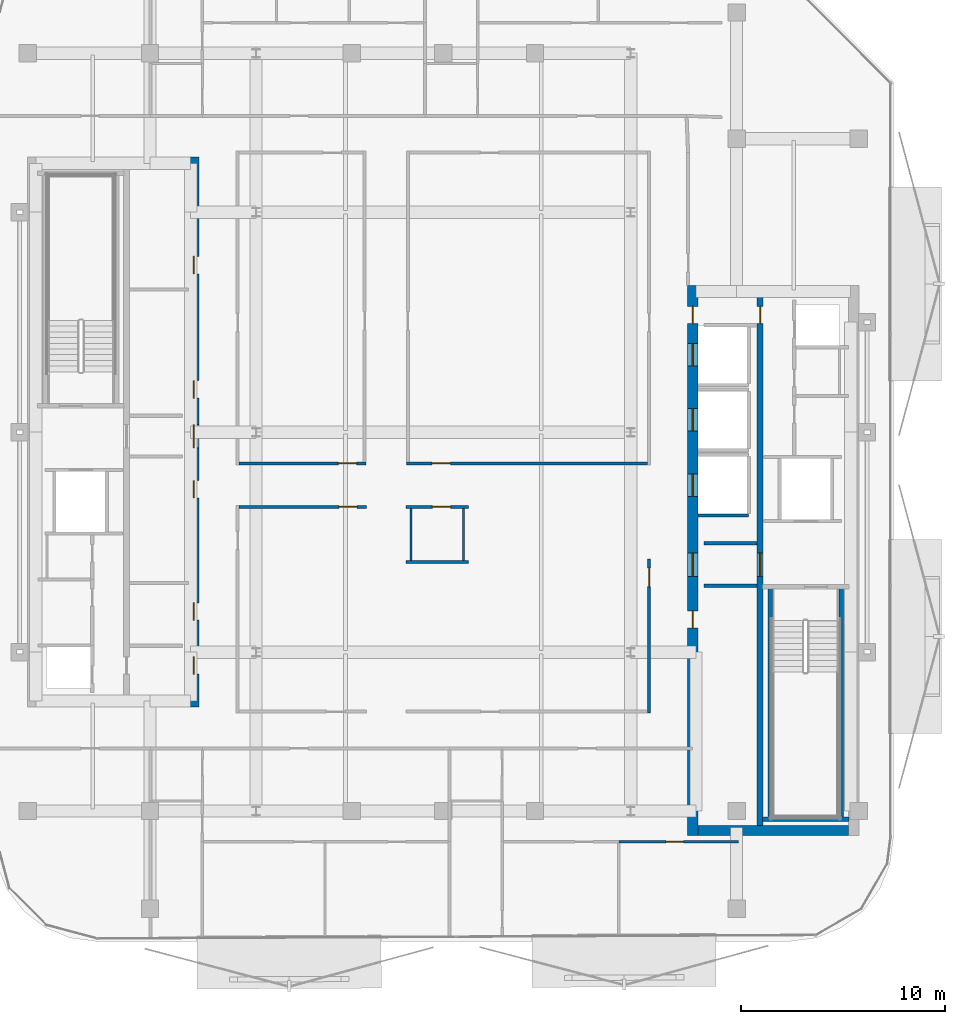
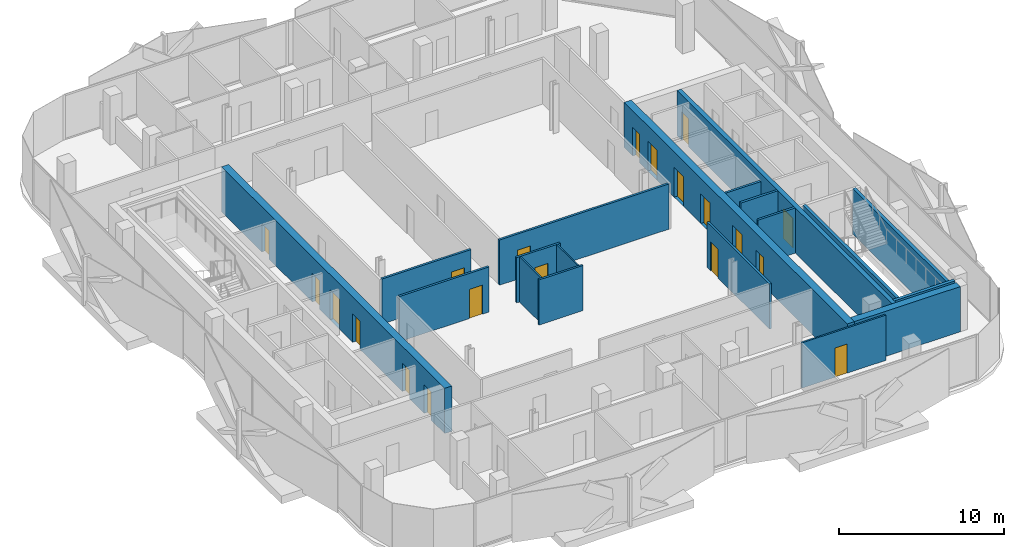
# One storey, part 4 of 16: 20 doors, 19 walls, 20 openings.
"""IFC4 building model written with IfcOpenShell, lengths in metres."""

from ifc_helpers import new_model, si_unit, direction, frame, frame_2d, origin, place, context, subcontext, project, spatial, rectangle, extrude, material, layer, layer_set, type_object, element, fill, save


model = new_model("IFC4")

# Units and contexts
model_context = context("Model", 3, precision=1e-05, world=origin(), true_north=direction((0.0, 1.0)))
body_context = subcontext(model_context, "Body", "Model", "MODEL_VIEW")
ifc_project = project(units=[si_unit("LENGTHUNIT", "METRE"), si_unit("AREAUNIT", "SQUARE_METRE"), si_unit("VOLUMEUNIT", "CUBIC_METRE"), si_unit("PLANEANGLEUNIT", "RADIAN"), si_unit("MASSUNIT", "GRAM", prefix="KILO")], contexts=[model_context])

# Site, building, storey
site_placement = place(None, origin())
site = spatial("IfcSite", under=ifc_project, at=site_placement, CompositionType="ELEMENT")
building_placement = place(site_placement, origin())
building = spatial("IfcBuilding", under=site, at=building_placement, Name="Khairoan Windgate Tower", CompositionType="ELEMENT")
storey_placement = place(building_placement, frame((0.0, 0.0, 258.39990234375)))
storey = spatial("IfcBuildingStorey", under=building, at=storey_placement, Name="L61", CompositionType="ELEMENT", Elevation=258.39990234375)

# Walls
ifc_material_1 = material(Name="Moisture-Resistant Gypsum Partition", Category="gypsum")
ifc_layer_1 = layer(ifc_material_1, 0.10009765625, Name="Moisture-Resistant Gypsum Partition")
ifc_layer_set_1 = layer_set([ifc_layer_1], Name="Moisture-Resistant Gypsum Partition")
wall_type_1 = type_object("IfcWallType", Name="Bathroom Wet-Area Partition Wall", PredefinedType="PARTITIONING", material=ifc_layer_set_1)
for number, where, z_axis, x_axis, name in (
    (1, (1.0, -3.739990234375, 0.0), (0.0, 0.0, 1.0), (0.0, -1.0, 0.0), "L61 Wet Room Side Wall 083"),
    (2, (-1.590087890625, -6.31005859375, 0.0), (0.0, 0.0, 1.0), (0.0, 1.0, 0.0), "L61 Wet Room Side Wall 084"),
):
    element("IfcWall", number, at=place(storey_placement, frame(where, z_axis=z_axis, x_axis=x_axis)), inside=storey, type_object=wall_type_1, Name=name, PredefinedType="PARTITIONING", context=body_context, shape_type="SweptSolid", body=[
        extrude(rectangle(XDim=2.570068359375, YDim=0.10009765625, at=frame_2d((1.28515625, 0.0))), origin(), (0.0, 0.0, 1.0), 3.340087890625),
    ])
ifc_material_2 = material(Name="Concrete C40/50", Category="concrete")
ifc_layer_2 = layer(ifc_material_2, 0.159912109375, Name="Concrete C40/50")
ifc_layer_set_2 = layer_set([ifc_layer_2], Name="Concrete C40/50")
wall_type_2 = type_object("IfcWallType", Name="Core and Hoistway Enclosure Wall", PredefinedType="STANDARD", material=ifc_layer_set_2)
wall_1_placement = place(storey_placement, frame((12.5, -4.090087890625, 0.0), z_axis=(0.0, 0.0, 1.0), x_axis=(1.0, 0.0, 0.0)))
element("IfcWall", 3, at=wall_1_placement, inside=storey, type_object=wall_type_2, Name="L61 Lift PL9 Hoistway Divider S", PredefinedType="STANDARD", context=body_context, shape_type="SweptSolid", body=[
    extrude(rectangle(XDim=2.489990234375, YDim=0.159912109375, at=frame_2d((1.2451171875, 0.0))), origin(), (0.0, 0.0, 1.0), 3.340087890625),
])
for number, where, z_axis, x_axis, name in (
    (4, (12.800048828125, -5.449951171875, 0.0), (0.0, 0.0, 1.0), (1.0, 0.0, 0.0), "L61 Core Shaft Wall SW-EV1-L61"),
    (5, (12.800048828125, -7.5400390625, 0.0), (0.0, 0.0, 1.0), (1.0, 0.0, 0.0), "L61 Core Shaft Wall SW-EV2-L61"),
):
    element("IfcWall", number, at=place(storey_placement, frame(where, z_axis=z_axis, x_axis=x_axis)), inside=storey, type_object=wall_type_2, Name=name, PredefinedType="STANDARD", context=body_context, shape_type="SweptSolid", body=[
        extrude(rectangle(XDim=2.599853515625, YDim=0.159912109375, at=frame_2d((1.2998046875, 0.0))), origin(), (0.0, 0.0, 1.0), 3.340087890625),
    ])
ifc_material_3 = material(Name="Acoustic Fire-Rated Gypsum Partition", Category="gypsum")
ifc_layer_3 = layer(ifc_material_3, 0.139892578125, Name="Acoustic Fire-Rated Gypsum Partition")
ifc_layer_set_3 = layer_set([ifc_layer_3], Name="Acoustic Fire-Rated Gypsum Partition")
wall_type_3 = type_object("IfcWallType", Name="Inter-Tenancy Compartment Wall", PredefinedType="PARTITIONING", material=ifc_layer_set_3)
wall_2_placement = place(storey_placement, frame((-1.830078125, -6.3798828125, 0.0), z_axis=(0.0, 0.0, 1.0), x_axis=(1.0, 0.0, 0.0)))
element("IfcWall", 6, at=wall_2_placement, inside=storey, type_object=wall_type_3, Name="L61 Interior Partition 080", PredefinedType="PARTITIONING", context=body_context, shape_type="SweptSolid", body=[
    extrude(rectangle(XDim=3.070068359375, YDim=0.139892578125, at=frame_2d((1.53515625, 0.0))), origin(), (0.0, 0.0, 1.0), 3.340087890625),
])

# Wall, opening, door
ifc_material_4 = material(Name="Gypsum Stud Partition", Category="gypsum")
ifc_layer_4 = layer(ifc_material_4, 0.1201171875, Name="Gypsum Stud Partition")
ifc_layer_set_4 = layer_set([ifc_layer_4], Name="Gypsum Stud Partition")
wall_type_4 = type_object("IfcWallType", Name="Internal Room Partition Wall", PredefinedType="PARTITIONING", material=ifc_layer_set_4)
wall_3_placement = place(storey_placement, frame((8.614990234375, -20.10009765625, 0.0), z_axis=(0.0, 0.0, 1.0), x_axis=(1.0, 0.0, 0.0)))
wall_3 = element("IfcWall", 7, at=wall_3_placement, inside=storey, type_object=wall_type_4, Name="L61 Interior Partition 078", PredefinedType="PARTITIONING", context=body_context, shape_type="SweptSolid", body=[
    extrude(rectangle(XDim=5.885009765625, YDim=0.1201171875, at=frame_2d((2.9423828125, 0.0))), origin(), (0.0, 0.0, 1.0), 3.340087890625),
])
opening_1_placement = place(wall_3_placement, frame((2.30712890625, 0.0, 0.0)))
opening_1 = element("IfcOpeningElement", 8, at=opening_1_placement, cuts=wall_3, Name="Opening ID-RM", PredefinedType="OPENING", context=body_context, shape_type="SweptSolid", body=[
    extrude(rectangle(XDim=0.860107421875, YDim=2.14990234375, at=frame_2d((0.43017578125, 1.074951171875))), frame((0.0, 0.070068359375, 0.0), z_axis=(0.0, -1.0, 0.0), x_axis=(1.0, 0.0, 0.0)), (0.0, 0.0, 1.0), 0.14013671875),
])
ifc_material_5 = material(Name="Teak Veneer Timber Leaf", Category="wood")
door_type_1 = type_object("IfcDoorType", Name="Internal Bedroom and Office Door ID-RM 860x2150", OperationType="NOTDEFINED", PredefinedType="DOOR", material=ifc_material_5)
door_1_placement = place(opening_1_placement, origin())
door_1 = element("IfcDoor", 9, at=door_1_placement, inside=storey, type_object=door_type_1, Name="L61 L61-51-L61-53 Door", OperationType="SINGLE_SWING_RIGHT", OverallHeight=2.14990234375, OverallWidth=0.860107421875, PredefinedType="DOOR", context=body_context, shape_type="SweptSolid", body=[
    extrude(rectangle(XDim=0.860107421875, YDim=2.14990234375, at=frame_2d((0.43017578125, 1.074951171875))), frame((0.0, 0.02490234375, 0.0), z_axis=(0.0, -1.0, 0.0), x_axis=(1.0, 0.0, 0.0)), (0.0, 0.0, 1.0), 0.050048828125),
])
fill(opening_1, door_1)

ifc_material_6 = material(Name="Acoustic Fire-Rated Gypsum Partition", Category="gypsum")
ifc_layer_5 = layer(ifc_material_6, 0.14990234375, Name="Acoustic Fire-Rated Gypsum Partition")
ifc_layer_set_5 = layer_set([ifc_layer_5], Name="Acoustic Fire-Rated Gypsum Partition")
wall_type_5 = type_object("IfcWallType", Name="Rated Corridor Partition Wall", PredefinedType="PARTITIONING", material=ifc_layer_set_5)
wall_4_placement = place(storey_placement, frame((10.10009765625, -13.794921875, 0.0), z_axis=(0.0, 0.0, 1.0), x_axis=(0.0, 1.0, 0.0)))
wall_4 = element("IfcWall", 10, at=wall_4_placement, inside=storey, type_object=wall_type_5, Name="L61 Interior Partition 017", PredefinedType="PARTITIONING", context=body_context, shape_type="SweptSolid", body=[
    extrude(rectangle(XDim=7.574951171875, YDim=0.14990234375, at=frame_2d((3.78759765625, 0.0))), origin(), (0.0, 0.0, 1.0), 3.340087890625),
])
opening_2_placement = place(wall_4_placement, frame((6.215087890625, 0.0, 0.0)))
opening_2 = element("IfcOpeningElement", 11, at=opening_2_placement, cuts=wall_4, Name="Opening FD-ENT", PredefinedType="OPENING", context=body_context, shape_type="SweptSolid", body=[
    extrude(rectangle(XDim=0.89990234375, YDim=2.14990234375, at=frame_2d((0.449951171875, 1.074951171875))), frame((0.0, 0.0849609375, 0.0), z_axis=(0.0, -1.0, 0.0), x_axis=(1.0, 0.0, 0.0)), (0.0, 0.0, 1.0), 0.169921875),
])
ifc_material_7 = material(Name="Timber Fire-Rated Core", Category="wood")
door_type_2 = type_object("IfcDoorType", Name="Unit and Office Fire Entrance Door FD-ENT 900x2150", OperationType="NOTDEFINED", PredefinedType="DOOR", material=ifc_material_7)
door_2_placement = place(opening_2_placement, origin())
door_2 = element("IfcDoor", 12, at=door_2_placement, inside=storey, type_object=door_type_2, Name="L61 L61-28-L61-61 Door", OperationType="SINGLE_SWING_RIGHT", OverallHeight=2.14990234375, OverallWidth=0.89990234375, PredefinedType="DOOR", context=body_context, shape_type="SweptSolid", body=[
    extrude(rectangle(XDim=0.89990234375, YDim=2.14990234375, at=frame_2d((0.449951171875, 1.074951171875))), frame((0.0, 0.02490234375, 0.0), z_axis=(0.0, -1.0, 0.0), x_axis=(1.0, 0.0, 0.0)), (0.0, 0.0, 1.0), 0.050048828125),
])
fill(opening_2, door_2)

wall_5_placement = place(storey_placement, frame((-10.02490234375, -1.534912109375, 0.0), z_axis=(0.0, 0.0, 1.0), x_axis=(1.0, 0.0, 0.0)))
wall_5 = element("IfcWall", 13, at=wall_5_placement, inside=storey, type_object=wall_type_5, Name="L61 Interior Partition 018", PredefinedType="PARTITIONING", context=body_context, shape_type="SweptSolid", body=[
    extrude(rectangle(XDim=6.23486328125, YDim=0.14990234375, at=frame_2d((3.117431640625, 0.0))), origin(), (0.0, 0.0, 1.0), 3.340087890625),
])
opening_3_placement = place(wall_5_placement, frame((4.875, 0.0, 0.0)))
opening_3 = element("IfcOpeningElement", 14, at=opening_3_placement, cuts=wall_5, Name="Opening FD-ENT", PredefinedType="OPENING", context=body_context, shape_type="SweptSolid", body=[
    extrude(rectangle(XDim=0.89990234375, YDim=2.14990234375, at=frame_2d((0.449951171875, 1.074951171875))), frame((0.0, 0.0849609375, 0.0), z_axis=(0.0, -1.0, 0.0), x_axis=(1.0, 0.0, 0.0)), (0.0, 0.0, 1.0), 0.169921875),
])
door_3_placement = place(opening_3_placement, origin())
door_3 = element("IfcDoor", 15, at=door_3_placement, inside=storey, type_object=door_type_2, Name="L61 L61-29-L61-57 Door", OperationType="SINGLE_SWING_LEFT", OverallHeight=2.14990234375, OverallWidth=0.89990234375, PredefinedType="DOOR", context=body_context, shape_type="SweptSolid", body=[
    extrude(rectangle(XDim=0.89990234375, YDim=2.14990234375, at=frame_2d((0.449951171875, 1.074951171875))), frame((0.0, 0.02490234375, 0.0), z_axis=(0.0, -1.0, 0.0), x_axis=(1.0, 0.0, 0.0)), (0.0, 0.0, 1.0), 0.050048828125),
])
fill(opening_3, door_3)

wall_6_placement = place(storey_placement, frame((-10.02490234375, -3.6650390625, 0.0), z_axis=(0.0, 0.0, 1.0), x_axis=(1.0, 0.0, 0.0)))
wall_6 = element("IfcWall", 16, at=wall_6_placement, inside=storey, type_object=wall_type_5, Name="L61 Interior Partition 019", PredefinedType="PARTITIONING", context=body_context, shape_type="SweptSolid", body=[
    extrude(rectangle(XDim=6.2548828125, YDim=0.14990234375, at=frame_2d((3.12744140625, 0.0))), origin(), (0.0, 0.0, 1.0), 3.340087890625),
])
opening_4_placement = place(wall_6_placement, frame((4.89501953125, 0.0, 0.0)))
opening_4 = element("IfcOpeningElement", 17, at=opening_4_placement, cuts=wall_6, Name="Opening FD-ENT", PredefinedType="OPENING", context=body_context, shape_type="SweptSolid", body=[
    extrude(rectangle(XDim=0.89990234375, YDim=2.14990234375, at=frame_2d((0.449951171875, 1.074951171875))), frame((0.0, 0.0849609375, 0.0), z_axis=(0.0, -1.0, 0.0), x_axis=(1.0, 0.0, 0.0)), (0.0, 0.0, 1.0), 0.169921875),
])
door_4_placement = place(opening_4_placement, origin())
door_4 = element("IfcDoor", 18, at=door_4_placement, inside=storey, type_object=door_type_2, Name="L61 L61-29-L61-58 Door", OperationType="SINGLE_SWING_RIGHT", OverallHeight=2.14990234375, OverallWidth=0.89990234375, PredefinedType="DOOR", context=body_context, shape_type="SweptSolid", body=[
    extrude(rectangle(XDim=0.89990234375, YDim=2.14990234375, at=frame_2d((0.449951171875, 1.074951171875))), frame((0.0, 0.02490234375, 0.0), z_axis=(0.0, -1.0, 0.0), x_axis=(1.0, 0.0, 0.0)), (0.0, 0.0, 1.0), 0.050048828125),
])
fill(opening_4, door_4)

wall_7_placement = place(storey_placement, frame((-1.81005859375, -1.534912109375, 0.0), z_axis=(0.0, 0.0, 1.0), x_axis=(1.0, 0.0, 0.0)))
wall_7 = element("IfcWall", 19, at=wall_7_placement, inside=storey, type_object=wall_type_5, Name="L61 Interior Partition 020", PredefinedType="PARTITIONING", context=body_context, shape_type="SweptSolid", body=[
    extrude(rectangle(XDim=11.8349609375, YDim=0.14990234375, at=frame_2d((5.91748046875, 0.0))), origin(), (0.0, 0.0, 1.0), 3.340087890625),
])
opening_5_placement = place(wall_7_placement, frame((1.26123046875, 0.0, 0.0)))
opening_5 = element("IfcOpeningElement", 20, at=opening_5_placement, cuts=wall_7, Name="Opening FD-ENT", PredefinedType="OPENING", context=body_context, shape_type="SweptSolid", body=[
    extrude(rectangle(XDim=0.89990234375, YDim=2.14990234375, at=frame_2d((0.449951171875, 1.074951171875))), frame((0.0, 0.0849609375, 0.0), z_axis=(0.0, -1.0, 0.0), x_axis=(1.0, 0.0, 0.0)), (0.0, 0.0, 1.0), 0.169921875),
])
door_5_placement = place(opening_5_placement, origin())
door_5 = element("IfcDoor", 21, at=door_5_placement, inside=storey, type_object=door_type_2, Name="L61 L61-29-L61-59 Door", OperationType="SINGLE_SWING_LEFT", OverallHeight=2.14990234375, OverallWidth=0.89990234375, PredefinedType="DOOR", context=body_context, shape_type="SweptSolid", body=[
    extrude(rectangle(XDim=0.89990234375, YDim=2.14990234375, at=frame_2d((0.449951171875, 1.074951171875))), frame((0.0, 0.02490234375, 0.0), z_axis=(0.0, -1.0, 0.0), x_axis=(1.0, 0.0, 0.0)), (0.0, 0.0, 1.0), 0.050048828125),
])
fill(opening_5, door_5)

wall_8_placement = place(storey_placement, frame((-1.830078125, -3.6650390625, 0.0), z_axis=(0.0, 0.0, 1.0), x_axis=(1.0, 0.0, 0.0)))
wall_8 = element("IfcWall", 22, at=wall_8_placement, inside=storey, type_object=wall_type_5, Name="L61 Interior Partition 021", PredefinedType="PARTITIONING", context=body_context, shape_type="SweptSolid", body=[
    extrude(rectangle(XDim=3.070068359375, YDim=0.14990234375, at=frame_2d((1.53515625, 0.0))), origin(), (0.0, 0.0, 1.0), 3.340087890625),
])
opening_6_placement = place(wall_8_placement, frame((1.293212890625, 0.0, 0.0)))
opening_6 = element("IfcOpeningElement", 23, at=opening_6_placement, cuts=wall_8, Name="Opening FD-ENT", PredefinedType="OPENING", context=body_context, shape_type="SweptSolid", body=[
    extrude(rectangle(XDim=0.89990234375, YDim=2.14990234375, at=frame_2d((0.449951171875, 1.074951171875))), frame((0.0, 0.0849609375, 0.0), z_axis=(0.0, -1.0, 0.0), x_axis=(1.0, 0.0, 0.0)), (0.0, 0.0, 1.0), 0.169921875),
])
door_6_placement = place(opening_6_placement, origin())
door_6 = element("IfcDoor", 24, at=door_6_placement, inside=storey, type_object=door_type_2, Name="L61 L61-29-L61-60 Door", OperationType="SINGLE_SWING_RIGHT", OverallHeight=2.14990234375, OverallWidth=0.89990234375, PredefinedType="DOOR", context=body_context, shape_type="SweptSolid", body=[
    extrude(rectangle(XDim=0.89990234375, YDim=2.14990234375, at=frame_2d((0.449951171875, 1.074951171875))), frame((0.0, 0.02490234375, 0.0), z_axis=(0.0, -1.0, 0.0), x_axis=(1.0, 0.0, 0.0)), (0.0, 0.0, 1.0), 0.050048828125),
])
fill(opening_6, door_6)

# Wall, openings, doors
ifc_material_8 = material(Name="Concrete C50/60", Category="concrete")
ifc_layer_6 = layer(ifc_material_8, 0.5, Name="Concrete C50/60")
ifc_layer_set_6 = layer_set([ifc_layer_6], Name="Concrete C50/60")
wall_type_6 = type_object("IfcWallType", Name="Shear Wall CW-E3 500mm", PredefinedType="SHEAR", material=ifc_layer_set_6)
wall_9_placement = place(storey_placement, frame((12.25, -19.800048828125, 0.0), z_axis=(0.0, 0.0, 1.0), x_axis=(0.0, 1.0, 0.0)))
wall_9 = element("IfcWall", 25, at=wall_9_placement, inside=storey, type_object=wall_type_6, Name="E Core West Shear Wall L61", PredefinedType="SHEAR", context=body_context, shape_type="SweptSolid", body=[
    extrude(rectangle(XDim=27.0, YDim=0.5, at=frame_2d((13.5, 0.0))), origin(), (0.0, 0.0, 1.0), 3.340087890625),
])
opening_7_placement = place(wall_9_placement, frame((23.050048828125, 0.0, 0.0)))
opening_7 = element("IfcOpeningElement", 26, at=opening_7_placement, cuts=wall_9, Name="Opening LD-PL", PredefinedType="OPENING", context=body_context, shape_type="SweptSolid", body=[
    extrude(rectangle(XDim=1.10009765625, YDim=2.199951171875, at=frame_2d((0.550048828125, 1.10009765625))), frame((0.0, 0.260009765625, 0.0), z_axis=(0.0, -1.0, 0.0), x_axis=(1.0, 0.0, 0.0)), (0.0, 0.0, 1.0), 0.52001953125),
])
opening_8_placement = place(wall_9_placement, frame((19.85009765625, 0.0, 0.0)))
opening_8 = element("IfcOpeningElement", 27, at=opening_8_placement, cuts=wall_9, Name="Opening LD-PL", PredefinedType="OPENING", context=body_context, shape_type="SweptSolid", body=[
    extrude(rectangle(XDim=1.10009765625, YDim=2.199951171875, at=frame_2d((0.550048828125, 1.10009765625))), frame((0.0, 0.260009765625, 0.0), z_axis=(0.0, -1.0, 0.0), x_axis=(1.0, 0.0, 0.0)), (0.0, 0.0, 1.0), 0.52001953125),
])
opening_9_placement = place(wall_9_placement, frame((16.64990234375, 0.0, 0.0)))
opening_9 = element("IfcOpeningElement", 28, at=opening_9_placement, cuts=wall_9, Name="Opening LD-PL", PredefinedType="OPENING", context=body_context, shape_type="SweptSolid", body=[
    extrude(rectangle(XDim=1.10009765625, YDim=2.199951171875, at=frame_2d((0.550048828125, 1.10009765625))), frame((0.0, 0.260009765625, 0.0), z_axis=(0.0, -1.0, 0.0), x_axis=(1.0, 0.0, 0.0)), (0.0, 0.0, 1.0), 0.52001953125),
])
opening_10_placement = place(wall_9_placement, frame((10.175048828125, 0.0, 0.0)))
opening_10 = element("IfcOpeningElement", 29, at=opening_10_placement, cuts=wall_9, Name="Opening FD-SRV", PredefinedType="OPENING", context=body_context, shape_type="SweptSolid", body=[
    extrude(rectangle(XDim=0.85009765625, YDim=2.10009765625, at=frame_2d((0.425048828125, 1.050048828125))), frame((0.0, 0.260009765625, 0.0), z_axis=(0.0, -1.0, 0.0), x_axis=(1.0, 0.0, 0.0)), (0.0, 0.0, 1.0), 0.52001953125),
])
opening_11_placement = place(wall_9_placement, frame((12.72509765625, 0.0, 0.0)))
opening_11 = element("IfcOpeningElement", 30, at=opening_11_placement, cuts=wall_9, Name="Opening FD-FFL", PredefinedType="OPENING", context=body_context, shape_type="SweptSolid", body=[
    extrude(rectangle(XDim=1.14990234375, YDim=2.199951171875, at=frame_2d((0.574951171875, 1.10009765625))), frame((0.0, 0.260009765625, 0.0), z_axis=(0.0, -1.0, 0.0), x_axis=(1.0, 0.0, 0.0)), (0.0, 0.0, 1.0), 0.52001953125),
])
opening_12_placement = place(wall_9_placement, frame((25.125, 0.0, 0.0)))
opening_12 = element("IfcOpeningElement", 31, at=opening_12_placement, cuts=wall_9, Name="Opening FD-SRV", PredefinedType="OPENING", context=body_context, shape_type="SweptSolid", body=[
    extrude(rectangle(XDim=0.85009765625, YDim=2.10009765625, at=frame_2d((0.425048828125, 1.050048828125))), frame((0.0, 0.260009765625, 0.0), z_axis=(0.0, -1.0, 0.0), x_axis=(1.0, 0.0, 0.0)), (0.0, 0.0, 1.0), 0.52001953125),
])
ifc_material_9 = material(Name="Steel S355", Category="steel")
door_type_3 = type_object("IfcDoorType", Name="Core Service and Riser Fire Door FD-SRV 850x2100", OperationType="NOTDEFINED", PredefinedType="DOOR", material=ifc_material_9)
door_7_placement = place(opening_10_placement, origin())
door_7 = element("IfcDoor", 32, at=door_7_placement, inside=storey, type_object=door_type_3, Name="L61 East Core Service Room Door 1", OperationType="SINGLE_SWING_LEFT", OverallHeight=2.10009765625, OverallWidth=0.85009765625, PredefinedType="DOOR", context=body_context, shape_type="SweptSolid", body=[
    extrude(rectangle(XDim=0.85009765625, YDim=2.10009765625, at=frame_2d((0.425048828125, 1.050048828125))), frame((0.0, 0.02490234375, 0.0), z_axis=(0.0, -1.0, 0.0), x_axis=(1.0, 0.0, 0.0)), (0.0, 0.0, 1.0), 0.050048828125),
])
fill(opening_10, door_7)
door_8_placement = place(opening_12_placement, origin())
door_8 = element("IfcDoor", 33, at=door_8_placement, inside=storey, type_object=door_type_3, Name="L61 East Core Service Vestibule Outer Door", OperationType="SINGLE_SWING_RIGHT", OverallHeight=2.10009765625, OverallWidth=0.85009765625, PredefinedType="DOOR", context=body_context, shape_type="SweptSolid", body=[
    extrude(rectangle(XDim=0.85009765625, YDim=2.10009765625, at=frame_2d((0.425048828125, 1.050048828125))), frame((0.0, 0.02490234375, 0.0), z_axis=(0.0, -1.0, 0.0), x_axis=(1.0, 0.0, 0.0)), (0.0, 0.0, 1.0), 0.050048828125),
])
fill(opening_12, door_8)
ifc_material_10 = material(Name="Steel S355", Category="steel")
door_type_4 = type_object("IfcDoorType", Name="Firefighting Lobby Fire Door FD-FFL 1150x2200", OperationType="NOTDEFINED", PredefinedType="DOOR", material=ifc_material_10)
door_9_placement = place(opening_11_placement, origin())
door_9 = element("IfcDoor", 34, at=door_9_placement, inside=storey, type_object=door_type_4, Name="L61 East Core Vestibule Entry Door", OperationType="SINGLE_SWING_RIGHT", OverallHeight=2.199951171875, OverallWidth=1.14990234375, PredefinedType="DOOR", context=body_context, shape_type="SweptSolid", body=[
    extrude(rectangle(XDim=1.14990234375, YDim=2.199951171875, at=frame_2d((0.574951171875, 1.10009765625))), frame((0.0, 0.02490234375, 0.0), z_axis=(0.0, -1.0, 0.0), x_axis=(1.0, 0.0, 0.0)), (0.0, 0.0, 1.0), 0.050048828125),
])
fill(opening_11, door_9)
ifc_material_11 = material(Name="Anodised Bronze Aluminium 6063-T6", Category="aluminium")
door_type_5 = type_object("IfcDoorType", Name="Passenger Lift Sliding Landing Door LD-PL 1100x2200", OperationType="DOUBLE_DOOR_SLIDING", PredefinedType="DOOR", material=ifc_material_11)
door_10_placement = place(opening_7_placement, origin())
door_10 = element("IfcDoor", 35, at=door_10_placement, inside=storey, type_object=door_type_5, Name="L61 Lift PL7 Sliding Landing Door", OperationType="DOUBLE_DOOR_SLIDING", OverallHeight=2.199951171875, OverallWidth=1.10009765625, PredefinedType="DOOR", context=body_context, shape_type="SweptSolid", body=[
    extrude(rectangle(XDim=1.10009765625, YDim=2.199951171875, at=frame_2d((0.550048828125, 1.10009765625))), frame((0.0, 0.02490234375, 0.0), z_axis=(0.0, -1.0, 0.0), x_axis=(1.0, 0.0, 0.0)), (0.0, 0.0, 1.0), 0.050048828125),
])
fill(opening_7, door_10)
door_11_placement = place(opening_8_placement, origin())
door_11 = element("IfcDoor", 36, at=door_11_placement, inside=storey, type_object=door_type_5, Name="L61 Lift PL8 Sliding Landing Door", OperationType="DOUBLE_DOOR_SLIDING", OverallHeight=2.199951171875, OverallWidth=1.10009765625, PredefinedType="DOOR", context=body_context, shape_type="SweptSolid", body=[
    extrude(rectangle(XDim=1.10009765625, YDim=2.199951171875, at=frame_2d((0.550048828125, 1.10009765625))), frame((0.0, 0.02490234375, 0.0), z_axis=(0.0, -1.0, 0.0), x_axis=(1.0, 0.0, 0.0)), (0.0, 0.0, 1.0), 0.050048828125),
])
fill(opening_8, door_11)
door_12_placement = place(opening_9_placement, origin())
door_12 = element("IfcDoor", 37, at=door_12_placement, inside=storey, type_object=door_type_5, Name="L61 Lift PL9 Sliding Landing Door", OperationType="DOUBLE_DOOR_SLIDING", OverallHeight=2.199951171875, OverallWidth=1.10009765625, PredefinedType="DOOR", context=body_context, shape_type="SweptSolid", body=[
    extrude(rectangle(XDim=1.10009765625, YDim=2.199951171875, at=frame_2d((0.550048828125, 1.10009765625))), frame((0.0, 0.02490234375, 0.0), z_axis=(0.0, -1.0, 0.0), x_axis=(1.0, 0.0, 0.0)), (0.0, 0.0, 1.0), 0.050048828125),
])
fill(opening_9, door_12)

# Wall
wall_10_placement = place(storey_placement, frame((12.5, -19.550048828125, 0.0), z_axis=(0.0, 0.0, 1.0), x_axis=(1.0, 0.0, 0.0)))
element("IfcWall", 38, at=wall_10_placement, inside=storey, type_object=wall_type_6, Name="E Core South Shear Wall L61", PredefinedType="SHEAR", context=body_context, shape_type="SweptSolid", body=[
    extrude(rectangle(XDim=7.39990234375, YDim=0.5, at=frame_2d((3.699951171875, 0.0))), origin(), (0.0, 0.0, 1.0), 3.340087890625),
])

# Wall, openings, doors
ifc_material_12 = material(Name="Concrete C50/60", Category="concrete")
ifc_layer_7 = layer(ifc_material_12, 0.5, Name="Concrete C50/60")
ifc_layer_set_7 = layer_set([ifc_layer_7], Name="Concrete C50/60")
wall_type_7 = type_object("IfcWallType", Name="Shear Wall CW-W3 500mm", PredefinedType="SHEAR", material=ifc_layer_set_7)
wall_11_placement = place(storey_placement, frame((-12.25, -13.5, 0.0), z_axis=(0.0, 0.0, 1.0), x_axis=(0.0, 1.0, 0.0)))
wall_11 = element("IfcWall", 39, at=wall_11_placement, inside=storey, type_object=wall_type_7, Name="W Core East Shear Wall L61", PredefinedType="SHEAR", context=body_context, shape_type="SweptSolid", body=[
    extrude(rectangle(XDim=27.0, YDim=0.5, at=frame_2d((13.5, 0.0))), origin(), (0.0, 0.0, 1.0), 3.340087890625),
])
opening_13_placement = place(wall_11_placement, frame((15.175048828125, 0.0, 0.0)))
opening_13 = element("IfcOpeningElement", 40, at=opening_13_placement, cuts=wall_11, Name="Opening FD-SRV", PredefinedType="OPENING", context=body_context, shape_type="SweptSolid", body=[
    extrude(rectangle(XDim=0.85009765625, YDim=2.10009765625, at=frame_2d((0.425048828125, 1.050048828125))), frame((0.0, 0.260009765625, 0.0), z_axis=(0.0, -1.0, 0.0), x_axis=(1.0, 0.0, 0.0)), (0.0, 0.0, 1.0), 0.52001953125),
])
opening_14_placement = place(wall_11_placement, frame((21.27490234375, 0.0, 0.0)))
opening_14 = element("IfcOpeningElement", 41, at=opening_14_placement, cuts=wall_11, Name="Opening FD-SRV", PredefinedType="OPENING", context=body_context, shape_type="SweptSolid", body=[
    extrude(rectangle(XDim=0.85009765625, YDim=2.10009765625, at=frame_2d((0.425048828125, 1.050048828125))), frame((0.0, 0.260009765625, 0.0), z_axis=(0.0, -1.0, 0.0), x_axis=(1.0, 0.0, 0.0)), (0.0, 0.0, 1.0), 0.52001953125),
])
opening_15_placement = place(wall_11_placement, frame((4.27490234375, 0.0, 0.0)))
opening_15 = element("IfcOpeningElement", 42, at=opening_15_placement, cuts=wall_11, Name="Opening FD-SRV", PredefinedType="OPENING", context=body_context, shape_type="SweptSolid", body=[
    extrude(rectangle(XDim=0.85009765625, YDim=2.10009765625, at=frame_2d((0.425048828125, 1.050048828125))), frame((0.0, 0.260009765625, 0.0), z_axis=(0.0, -1.0, 0.0), x_axis=(1.0, 0.0, 0.0)), (0.0, 0.0, 1.0), 0.52001953125),
])
opening_16_placement = place(wall_11_placement, frame((10.27490234375, 0.0, 0.0)))
opening_16 = element("IfcOpeningElement", 43, at=opening_16_placement, cuts=wall_11, Name="Opening FD-SRV", PredefinedType="OPENING", context=body_context, shape_type="SweptSolid", body=[
    extrude(rectangle(XDim=0.85009765625, YDim=2.10009765625, at=frame_2d((0.425048828125, 1.050048828125))), frame((0.0, 0.260009765625, 0.0), z_axis=(0.0, -1.0, 0.0), x_axis=(1.0, 0.0, 0.0)), (0.0, 0.0, 1.0), 0.52001953125),
])
opening_17_placement = place(wall_11_placement, frame((12.72509765625, 0.0, 0.0)))
opening_17 = element("IfcOpeningElement", 44, at=opening_17_placement, cuts=wall_11, Name="Opening FD-FFL", PredefinedType="OPENING", context=body_context, shape_type="SweptSolid", body=[
    extrude(rectangle(XDim=1.14990234375, YDim=2.199951171875, at=frame_2d((0.574951171875, 1.10009765625))), frame((0.0, 0.260009765625, 0.0), z_axis=(0.0, -1.0, 0.0), x_axis=(1.0, 0.0, 0.0)), (0.0, 0.0, 1.0), 0.52001953125),
])
opening_18_placement = place(wall_11_placement, frame((1.625, 0.0, 0.0)))
opening_18 = element("IfcOpeningElement", 45, at=opening_18_placement, cuts=wall_11, Name="Opening FD-SRV", PredefinedType="OPENING", context=body_context, shape_type="SweptSolid", body=[
    extrude(rectangle(XDim=0.85009765625, YDim=2.10009765625, at=frame_2d((0.425048828125, 1.050048828125))), frame((0.0, 0.260009765625, 0.0), z_axis=(0.0, -1.0, 0.0), x_axis=(1.0, 0.0, 0.0)), (0.0, 0.0, 1.0), 0.52001953125),
])
door_13_placement = place(opening_13_placement, origin())
door_13 = element("IfcDoor", 46, at=door_13_placement, inside=storey, type_object=door_type_3, Name="L61 Upper Core Room Door B1-1", OperationType="SINGLE_SWING_LEFT", OverallHeight=2.10009765625, OverallWidth=0.85009765625, PredefinedType="DOOR", context=body_context, shape_type="SweptSolid", body=[
    extrude(rectangle(XDim=0.85009765625, YDim=2.10009765625, at=frame_2d((0.425048828125, 1.050048828125))), frame((0.0, 0.02490234375, 0.0), z_axis=(0.0, -1.0, 0.0), x_axis=(1.0, 0.0, 0.0)), (0.0, 0.0, 1.0), 0.050048828125),
])
fill(opening_13, door_13)
door_14_placement = place(opening_14_placement, origin())
door_14 = element("IfcDoor", 47, at=door_14_placement, inside=storey, type_object=door_type_3, Name="L61 Upper Core Room Door B1-2", OperationType="SINGLE_SWING_RIGHT", OverallHeight=2.10009765625, OverallWidth=0.85009765625, PredefinedType="DOOR", context=body_context, shape_type="SweptSolid", body=[
    extrude(rectangle(XDim=0.85009765625, YDim=2.10009765625, at=frame_2d((0.425048828125, 1.050048828125))), frame((0.0, 0.02490234375, 0.0), z_axis=(0.0, -1.0, 0.0), x_axis=(1.0, 0.0, 0.0)), (0.0, 0.0, 1.0), 0.050048828125),
])
fill(opening_14, door_14)
door_15_placement = place(opening_15_placement, origin())
door_15 = element("IfcDoor", 48, at=door_15_placement, inside=storey, type_object=door_type_3, Name="L61 Upper Core Room Door B2-1", OperationType="SINGLE_SWING_LEFT", OverallHeight=2.10009765625, OverallWidth=0.85009765625, PredefinedType="DOOR", context=body_context, shape_type="SweptSolid", body=[
    extrude(rectangle(XDim=0.85009765625, YDim=2.10009765625, at=frame_2d((0.425048828125, 1.050048828125))), frame((0.0, 0.02490234375, 0.0), z_axis=(0.0, -1.0, 0.0), x_axis=(1.0, 0.0, 0.0)), (0.0, 0.0, 1.0), 0.050048828125),
])
fill(opening_15, door_15)
door_16_placement = place(opening_16_placement, origin())
door_16 = element("IfcDoor", 49, at=door_16_placement, inside=storey, type_object=door_type_3, Name="L61 Upper Core Room Door B2-2", OperationType="SINGLE_SWING_RIGHT", OverallHeight=2.10009765625, OverallWidth=0.85009765625, PredefinedType="DOOR", context=body_context, shape_type="SweptSolid", body=[
    extrude(rectangle(XDim=0.85009765625, YDim=2.10009765625, at=frame_2d((0.425048828125, 1.050048828125))), frame((0.0, 0.02490234375, 0.0), z_axis=(0.0, -1.0, 0.0), x_axis=(1.0, 0.0, 0.0)), (0.0, 0.0, 1.0), 0.050048828125),
])
fill(opening_16, door_16)
door_17_placement = place(opening_18_placement, origin())
door_17 = element("IfcDoor", 50, at=door_17_placement, inside=storey, type_object=door_type_3, Name="L61 West Core Service Vestibule Outer Door", OperationType="SINGLE_SWING_RIGHT", OverallHeight=2.10009765625, OverallWidth=0.85009765625, PredefinedType="DOOR", context=body_context, shape_type="SweptSolid", body=[
    extrude(rectangle(XDim=0.85009765625, YDim=2.10009765625, at=frame_2d((0.425048828125, 1.050048828125))), frame((0.0, 0.02490234375, 0.0), z_axis=(0.0, -1.0, 0.0), x_axis=(1.0, 0.0, 0.0)), (0.0, 0.0, 1.0), 0.050048828125),
])
fill(opening_18, door_17)
door_18_placement = place(opening_17_placement, origin())
door_18 = element("IfcDoor", 51, at=door_18_placement, inside=storey, type_object=door_type_4, Name="L61 West Core Vestibule Entry Door", OperationType="SINGLE_SWING_RIGHT", OverallHeight=2.199951171875, OverallWidth=1.14990234375, PredefinedType="DOOR", context=body_context, shape_type="SweptSolid", body=[
    extrude(rectangle(XDim=1.14990234375, YDim=2.199951171875, at=frame_2d((0.574951171875, 1.10009765625))), frame((0.0, 0.02490234375, 0.0), z_axis=(0.0, -1.0, 0.0), x_axis=(1.0, 0.0, 0.0)), (0.0, 0.0, 1.0), 0.050048828125),
])
fill(opening_17, door_18)

ifc_material_13 = material(Name="Concrete C50/60", Category="concrete")
ifc_layer_8 = layer(ifc_material_13, 0.300048828125, Name="Concrete C50/60")
ifc_layer_set_8 = layer_set([ifc_layer_8], Name="Concrete C50/60")
wall_type_8 = type_object("IfcWallType", Name="Shear Wall SW-2 300mm", PredefinedType="SHEAR", material=ifc_layer_set_8)
wall_12_placement = place(storey_placement, frame((15.550048828125, -19.300048828125, 0.0), z_axis=(0.0, 0.0, 1.0), x_axis=(0.0, 1.0, 0.0)))
wall_12 = element("IfcWall", 52, at=wall_12_placement, inside=storey, type_object=wall_type_8, Name="E Core Spine Shear Wall L61", PredefinedType="SHEAR", context=body_context, shape_type="SweptSolid", body=[
    extrude(rectangle(XDim=26.0, YDim=0.300048828125, at=frame_2d((13.0, 0.0))), origin(), (0.0, 0.0, 1.0), 3.340087890625),
])
opening_19_placement = place(wall_12_placement, frame((12.22509765625, 0.0, 0.0)))
opening_19 = element("IfcOpeningElement", 53, at=opening_19_placement, cuts=wall_12, Name="Opening FD-FFL", PredefinedType="OPENING", context=body_context, shape_type="SweptSolid", body=[
    extrude(rectangle(XDim=1.14990234375, YDim=2.199951171875, at=frame_2d((0.574951171875, 1.10009765625))), frame((0.0, 0.159912109375, 0.0), z_axis=(0.0, -1.0, 0.0), x_axis=(1.0, 0.0, 0.0)), (0.0, 0.0, 1.0), 0.320068359375),
])
opening_20_placement = place(wall_12_placement, frame((24.625, 0.0, 0.0)))
opening_20 = element("IfcOpeningElement", 54, at=opening_20_placement, cuts=wall_12, Name="Opening FD-SRV", PredefinedType="OPENING", context=body_context, shape_type="SweptSolid", body=[
    extrude(rectangle(XDim=0.85009765625, YDim=2.10009765625, at=frame_2d((0.425048828125, 1.050048828125))), frame((0.0, 0.159912109375, 0.0), z_axis=(0.0, -1.0, 0.0), x_axis=(1.0, 0.0, 0.0)), (0.0, 0.0, 1.0), 0.320068359375),
])
door_19_placement = place(opening_20_placement, origin())
door_19 = element("IfcDoor", 55, at=door_19_placement, inside=storey, type_object=door_type_3, Name="L61 East Core Service Passage Inner Door", OperationType="SINGLE_SWING_LEFT", OverallHeight=2.10009765625, OverallWidth=0.85009765625, PredefinedType="DOOR", context=body_context, shape_type="SweptSolid", body=[
    extrude(rectangle(XDim=0.85009765625, YDim=2.10009765625, at=frame_2d((0.425048828125, 1.050048828125))), frame((0.0, 0.02490234375, 0.0), z_axis=(0.0, -1.0, 0.0), x_axis=(1.0, 0.0, 0.0)), (0.0, 0.0, 1.0), 0.050048828125),
])
fill(opening_20, door_19)
door_20_placement = place(opening_19_placement, origin())
door_20 = element("IfcDoor", 56, at=door_20_placement, inside=storey, type_object=door_type_4, Name="L61 East Firefighting Lobby Fire Door", OperationType="SINGLE_SWING_LEFT", OverallHeight=2.199951171875, OverallWidth=1.14990234375, PredefinedType="DOOR", context=body_context, shape_type="SweptSolid", body=[
    extrude(rectangle(XDim=1.14990234375, YDim=2.199951171875, at=frame_2d((0.574951171875, 1.10009765625))), frame((0.0, 0.02490234375, 0.0), z_axis=(0.0, -1.0, 0.0), x_axis=(1.0, 0.0, 0.0)), (0.0, 0.0, 1.0), 0.050048828125),
])
fill(opening_19, door_20)

# Walls
ifc_material_14 = material(Name="Concrete C50/60", Category="concrete")
ifc_layer_9 = layer(ifc_material_14, 0.219970703125, Name="Concrete C50/60")
ifc_layer_set_9 = layer_set([ifc_layer_9], Name="Concrete C50/60")
wall_type_9 = type_object("IfcWallType", Name="Shear Wall SW-ST 220mm", PredefinedType="SHEAR", material=ifc_layer_set_9)
for number, where, z_axis, x_axis, name in (
    (57, (16.0400390625, -19.010009765625, 0.0), (0.0, 0.0, 1.0), (0.0, 1.0, 0.0), "L61 Stair ST1 West Bearing Wall"),
    (58, (19.530029296875, -19.010009765625, 0.0), (0.0, 0.0, 1.0), (0.0, 1.0, 0.0), "L61 Stair ST1 East Bearing Wall"),
):
    element("IfcWall", number, at=place(storey_placement, frame(where, z_axis=z_axis, x_axis=x_axis)), inside=storey, type_object=wall_type_9, Name=name, PredefinedType="SHEAR", context=body_context, shape_type="SweptSolid", body=[
        extrude(rectangle(XDim=11.419921875, YDim=0.219970703125, at=frame_2d((5.7099609375, 0.0))), origin(), (0.0, 0.0, 1.0), 3.340087890625),
    ])
wall_13_placement = place(storey_placement, frame((15.679931640625, -19.010009765625, 0.0), z_axis=(0.0, 0.0, 1.0), x_axis=(1.0, 0.0, 0.0)))
element("IfcWall", 59, at=wall_13_placement, inside=storey, type_object=wall_type_9, Name="L61 Stair ST1 South Bearing Wall", PredefinedType="SHEAR", context=body_context, shape_type="SweptSolid", body=[
    extrude(rectangle(XDim=4.239990234375, YDim=0.219970703125, at=frame_2d((2.1201171875, 0.0))), origin(), (0.0, 0.0, 1.0), 3.340087890625),
])

save(model, "model.ifc")
